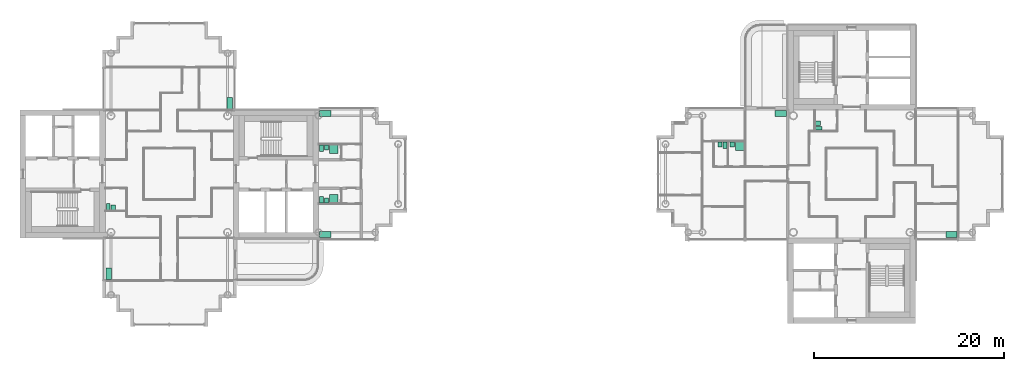
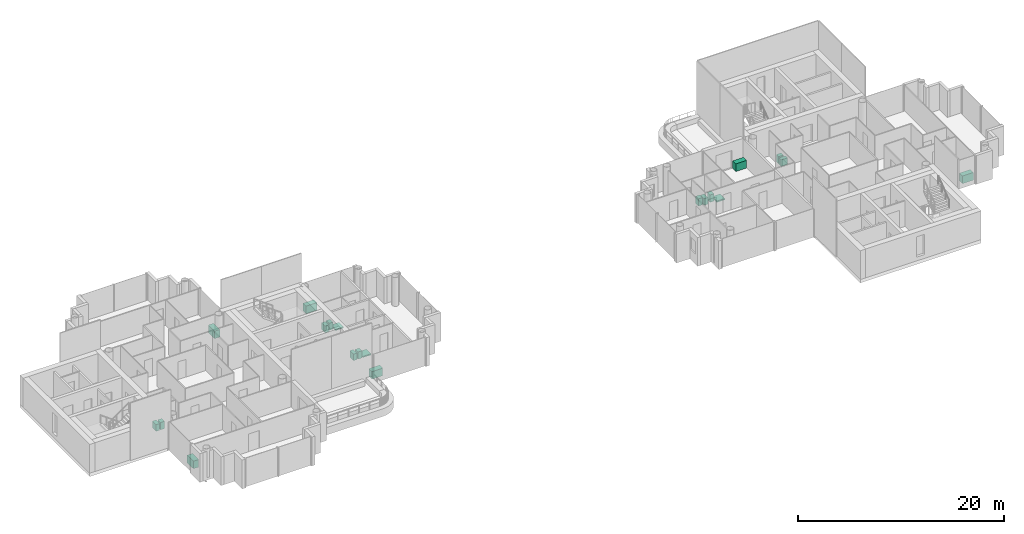
# One storey, part 18 of 18: 20 sanitary terminals.
"""IFC4 building model written with IfcOpenShell, lengths in metres."""

import ifcopenshell
import ifcopenshell.guid

model = None  # the IFC model being written
_history = None  # IfcOwnerHistory: only IFC2X3 demands one
_inside = {}  # id of a spatial element -> (the spatial element, [elements in it])
_under = {}  # id of a project, library or spatial element -> (it, [spatial elements below it])
_declared = {}  # id of a project -> (the project, [libraries it declares])
_typed = {}  # id of a type object -> (the type object, [elements of that type])
_made_of = {}  # id of a material, layer set ... -> (it, [elements and type objects made of it])


def new_model(schema):
    """Start an empty IFC model of exactly this schema.

    Asked for "IFC4X3", IfcOpenShell would pick the latest addendum, in which some entities
    have other attributes; the version numbers below select the first issue.
    IFC2X3 requires an IfcOwnerHistory on every rooted entity: one is made here for all.
    """
    global model, _history
    if schema == "IFC4X3":
        model = ifcopenshell.file(schema_version=(4, 3, 0, 0))
    else:
        model = ifcopenshell.file(schema=schema)
    _inside.clear()
    _under.clear()
    _declared.clear()
    _typed.clear()
    _made_of.clear()
    _history = None
    if model.schema == "IFC2X3":
        org = make("IfcOrganization", Name="unknown")
        user = make(
            "IfcPersonAndOrganization",
            ThePerson=make("IfcPerson", FamilyName="unknown"),
            TheOrganization=org,
        )
        app = make(
            "IfcApplication",
            ApplicationDeveloper=org,
            Version="unknown",
            ApplicationFullName="unknown",
            ApplicationIdentifier="unknown",
        )
        _history = make(
            "IfcOwnerHistory",
            OwningUser=user,
            OwningApplication=app,
            ChangeAction="ADDED",
            CreationDate=0,
        )
    return model


def make(cls, **values):
    """One entity of the class cls with the attributes given. An attribute that is None is left unset."""
    return model.create_entity(
        cls, **{name: value for name, value in values.items() if value is not None}
    )


def rooted(cls, **values):
    """An entity with a GlobalId (a new one), such as an element, a storey or a relation."""
    return make(cls, GlobalId=ifcopenshell.guid.new(), OwnerHistory=_history, **values)


def si_unit(unit_type, name, prefix=None):
    """IfcSIUnit, for example si_unit("LENGTHUNIT", "METRE", prefix="MILLI")."""
    return make("IfcSIUnit", UnitType=unit_type, Prefix=prefix, Name=name)


def assignment(units):
    """IfcUnitAssignment: the units of a project."""
    return None if units is None else make("IfcUnitAssignment", Units=units)


def point(xyz):
    """IfcCartesianPoint."""
    return None if xyz is None else make("IfcCartesianPoint", Coordinates=xyz)


def direction(xyz):
    """IfcDirection."""
    return None if xyz is None else make("IfcDirection", DirectionRatios=xyz)


def frame(location, z_axis=None, x_axis=None):
    """IfcAxis2Placement3D, a coordinate frame: its origin and axes. An axis left out is left unset."""
    return make(
        "IfcAxis2Placement3D",
        Location=point(location),
        Axis=direction(z_axis),
        RefDirection=direction(x_axis),
    )


def frame_2d(location, x_axis=None):
    """IfcAxis2Placement2D, a coordinate frame in the plane: its origin and x axis."""
    return make(
        "IfcAxis2Placement2D", Location=point(location), RefDirection=direction(x_axis)
    )


def origin():
    """The frame at (0, 0, 0) with its axes left unset."""
    return frame((0.0, 0.0, 0.0))


def origin_2d():
    """The frame at (0, 0) in the plane with its x axis left unset."""
    return frame_2d((0.0, 0.0))


def place(relative_to, where):
    """IfcLocalPlacement: puts the frame where relative to a parent placement (None: the world)."""
    return make(
        "IfcLocalPlacement", PlacementRelTo=relative_to, RelativePlacement=where
    )


def context(
    kind, dimensions, precision=None, world=None, true_north=None, identifier=None
):
    """IfcGeometricRepresentationContext, for example the 3D "Model" context."""
    return make(
        "IfcGeometricRepresentationContext",
        ContextIdentifier=identifier,
        ContextType=kind,
        CoordinateSpaceDimension=dimensions,
        Precision=precision,
        WorldCoordinateSystem=world,
        TrueNorth=true_north,
    )


def subcontext(parent, identifier, kind, view, scale=None):
    """IfcGeometricRepresentationSubContext, for example "Body" below "Model"."""
    return make(
        "IfcGeometricRepresentationSubContext",
        ContextIdentifier=identifier,
        ContextType=kind,
        ParentContext=parent,
        TargetScale=scale,
        TargetView=view,
    )


def project(units=None, contexts=None):
    """IfcProject with its units and contexts."""
    return rooted(
        "IfcProject",
        Name="project",
        RepresentationContexts=contexts,
        UnitsInContext=assignment(units),
    )


def spatial(cls, under=None, at=None, **own):
    """A site, building, storey or space (cls), placed at a placement, below another one or the project."""
    s = rooted(cls, ObjectPlacement=at, **own)
    if under is not None:
        _under.setdefault(under.id(), (under, []))[1].append(s)
    return s


def profile(cls, at=None, kind="AREA", **sizes):
    """A parametric profile (cls). Its sizes go by their IFC names, for example OverallWidth=200.0."""
    return make(cls, ProfileType=kind, Position=at, **sizes)


def rectangle(**sizes):
    """IfcRectangleProfileDef."""
    return profile("IfcRectangleProfileDef", **sizes)


def extrude(swept, where, along, depth):
    """IfcExtrudedAreaSolid: the profile swept, set in the frame where, extruded along a direction by depth."""
    return make(
        "IfcExtrudedAreaSolid",
        SweptArea=swept,
        Position=where,
        ExtrudedDirection=direction(along),
        Depth=depth,
    )


def shape(context_of_items, identifier, shape_type, items):
    """IfcShapeRepresentation: the items that make up one representation, for example the "Body"."""
    return make(
        "IfcShapeRepresentation",
        ContextOfItems=context_of_items,
        RepresentationIdentifier=identifier,
        RepresentationType=shape_type,
        Items=items,
    )


def material(Name=None, Category=None):
    """IfcMaterial."""
    return make("IfcMaterial", Name=Name, Category=Category)


def made_of(thing, what):
    """Note that an element or type object is made of a material, layer set ...; save() writes the relation."""
    if what is not None:
        _made_of.setdefault(what.id(), (what, []))[1].append(thing)
    return thing


def type_object(cls, material=None, **own):
    """A type object (cls), such as IfcWallType, which elements share."""
    return made_of(rooted(cls, **own), material)


def element(
    cls,
    number,
    at=None,
    inside=None,
    cuts=None,
    type_object=None,
    material=None,
    context=None,
    identifier="Body",
    shape_type=None,
    held_by="IfcProductDefinitionShape",
    body=None,
    shapes=None,
    **own,
):
    """One element of the class cls, such as IfcWall. Its Tag is "e" and its number.

    at: its placement. inside: the storey or other place that contains it. cuts: it is an
    opening in that element (IfcRelVoidsElement). A single representation is given by context,
    identifier, shape_type and body (its items); several are given by shapes. held_by: the class
    of the entity that holds the representations. save() writes the other relations.
    """
    e = rooted(cls, Tag="e%d" % number, ObjectPlacement=at, **own)
    if body is not None:
        shapes = [shape(context, identifier, shape_type, body)]
    if shapes is not None:
        e.Representation = make(held_by, Representations=shapes)
    if inside is not None:
        _inside.setdefault(inside.id(), (inside, []))[1].append(e)
    if cuts is not None:
        rooted(
            "IfcRelVoidsElement", RelatingBuildingElement=cuts, RelatedOpeningElement=e
        )
    if type_object is not None:
        _typed.setdefault(type_object.id(), (type_object, []))[1].append(e)
    return made_of(e, material)


def aggregate(whole, parts):
    """IfcRelAggregates: a whole, such as a stair, and the parts it consists of."""
    return rooted("IfcRelAggregates", RelatingObject=whole, RelatedObjects=parts)


def save(model, path):
    """Write the relations noted so far, then the file.

    IfcRelAggregates (storeys below a building ...), IfcRelContainedInSpatialStructure (elements
    in a storey), IfcRelDefinesByType, IfcRelAssociatesMaterial and IfcRelDeclares: one each for
    every whole, place, type object, material and project.
    """
    for whole, parts in _under.values():
        aggregate(whole, parts)
    for where, things in _inside.values():
        rooted(
            "IfcRelContainedInSpatialStructure",
            RelatedElements=things,
            RelatingStructure=where,
        )
    for kind, things in _typed.values():
        rooted("IfcRelDefinesByType", RelatedObjects=things, RelatingType=kind)
    for what, things in _made_of.values():
        rooted("IfcRelAssociatesMaterial", RelatedObjects=things, RelatingMaterial=what)
    for by, libraries in _declared.values():
        rooted("IfcRelDeclares", RelatingContext=by, RelatedDefinitions=libraries)
    model.write(path)


model = new_model("IFC4")

# Units and contexts
model_context = context("Model", 3, precision=1e-05, world=origin(), true_north=direction((0.0, 1.0)))
body_context = subcontext(model_context, "Body", "Model", "MODEL_VIEW")
ifc_project = project(units=[si_unit("LENGTHUNIT", "METRE"), si_unit("AREAUNIT", "SQUARE_METRE"), si_unit("VOLUMEUNIT", "CUBIC_METRE"), si_unit("PLANEANGLEUNIT", "RADIAN"), si_unit("MASSUNIT", "GRAM", prefix="KILO")], contexts=[model_context])

# Site, building, storey
site_placement = place(None, origin())
site = spatial("IfcSite", under=ifc_project, at=site_placement, CompositionType="ELEMENT")
building_placement = place(site_placement, origin())
building = spatial("IfcBuilding", under=site, at=building_placement, Name="Ipe Terrace Towers", CompositionType="ELEMENT")
storey_placement = place(building_placement, frame((0.0, 0.0, 199.39990234375)))
storey = spatial("IfcBuildingStorey", under=building, at=storey_placement, Name="L55", CompositionType="ELEMENT", Elevation=199.39990234375)

# Sanitary terminals
ifc_material_1 = material(Name="Stainless sink unit", Category="metal")
sanitary_terminal_type_1 = type_object("IfcSanitaryTerminalType", Name="Kitchen sink unit", PredefinedType="SINK", material=ifc_material_1)
for number, where, z_axis, x_axis, name in (
    (1, (-29.6201171875, 7.469970703125, 0.000244140625), (0.0, 0.0, 1.0), (0.0, -1.0, 0.0), "Kitchen sink unit"),
    (2, (-42.3798828125, -10.530029296875, 0.000244140625), (0.0, 0.0, 1.0), (0.0, 1.0, 0.0), "Kitchen sink unit"),
    (3, (-19.530029296875, 6.3798828125, 0.000244140625), (0.0, 0.0, 1.0), (1.0, 0.0, 0.0), "Kitchen sink unit"),
    (4, (-19.530029296875, -6.3798828125, 0.000244140625), (0.0, 0.0, 1.0), (-1.0, 0.0, 0.0), "Kitchen sink unit"),
    (5, (28.530029296875, 6.3798828125, 0.000244140625), (0.0, 0.0, 1.0), (1.0, 0.0, 0.0), "Kitchen sink unit"),
    (6, (46.530029296875, -6.3798828125, 0.000244140625), (0.0, 0.0, 1.0), (-1.0, 0.0, 0.0), "Kitchen sink unit"),
):
    element("IfcSanitaryTerminal", number, at=place(storey_placement, frame(where, z_axis=z_axis, x_axis=x_axis)), inside=storey, type_object=sanitary_terminal_type_1, Name=name, PredefinedType="SINK", context=body_context, shape_type="SweptSolid", body=[
        extrude(rectangle(XDim=1.199951171875, YDim=0.60009765625, at=origin_2d()), origin(), (0.0, 0.0, 1.0), 0.89990234375),
    ])
ifc_material_2 = material(Name="Acrylic", Category="plastic")
sanitary_terminal_type_2 = type_object("IfcSanitaryTerminalType", Name="Shower tray", PredefinedType="SHOWER", material=ifc_material_2)
for number, where, z_axis, x_axis, name in (
    (7, (-18.6298828125, 2.6298828125, 0.000244140625), (0.0, 0.0, 1.0), (0.0, -1.0, 0.0), "Shower tray"),
    (8, (-18.6298828125, -2.6298828125, 0.000244140625), (0.0, 0.0, 1.0), (0.0, 1.0, 0.0), "Shower tray"),
    (9, (24.179931640625, 2.929931640625, 0.000244140625), (0.0, 0.0, 1.0), (0.0, -1.0, 0.0), "Shower tray"),
):
    element("IfcSanitaryTerminal", number, at=place(storey_placement, frame(where, z_axis=z_axis, x_axis=x_axis)), inside=storey, type_object=sanitary_terminal_type_2, Name=name, PredefinedType="SHOWER", context=body_context, shape_type="SweptSolid", body=[
        extrude(rectangle(XDim=0.89990234375, YDim=0.89990234375, at=origin_2d()), origin(), (0.0, 0.0, 1.0), 0.14990234375),
    ])
ifc_material_3 = material(Name="Vitreous china", Category="ceramic")
sanitary_terminal_type_3 = type_object("IfcSanitaryTerminalType", Name="Wash basin", PredefinedType="WASHHANDBASIN", material=ifc_material_3)
for number, where, z_axis, x_axis, name in (
    (10, (-41.905029296875, -3.554931640625, 0.0), (0.0, 0.0, 1.0), (0.0, 1.0, 0.0), "Wash basin"),
    (11, (-19.405029296875, 2.804931640625, 0.0), (0.0, 0.0, 1.0), (0.0, -1.0, 0.0), "Wash basin"),
    (12, (-19.405029296875, -2.804931640625, 0.0), (0.0, 0.0, 1.0), (0.0, 1.0, 0.0), "Wash basin"),
    (13, (32.445068359375, 5.344970703125, 0.0), (0.0, 0.0, 1.0), (1.0, 0.0, 0.0), "Wash basin"),
    (14, (23.405029296875, 3.10498046875, 0.0), (0.0, 0.0, 1.0), (0.0, -1.0, 0.0), "Wash basin"),
    (15, (22.10498046875, 3.10498046875, 0.0), (0.0, 0.0, 1.0), (0.0, -1.0, 0.0), "Wash basin"),
):
    element("IfcSanitaryTerminal", number, at=place(storey_placement, frame(where, z_axis=z_axis, x_axis=x_axis)), inside=storey, type_object=sanitary_terminal_type_3, Name=name, PredefinedType="WASHHANDBASIN", context=body_context, shape_type="SweptSolid", body=[
        extrude(rectangle(XDim=0.550048828125, YDim=0.449951171875, at=origin_2d()), origin(), (0.0, 0.0, 1.0), 0.85009765625),
    ])
ifc_material_4 = material(Name="Vitreous china", Category="ceramic")
sanitary_terminal_type_4 = type_object("IfcSanitaryTerminalType", Name="Water closet", PredefinedType="TOILETPAN", material=ifc_material_4)
for number, where, z_axis, x_axis, name in (
    (16, (-42.429931640625, -3.47998046875, 0.0), (0.0, 0.0, 1.0), (0.0, 1.0, 0.0), "Water closet"),
    (17, (-19.929931640625, 2.72998046875, 0.0), (0.0, 0.0, 1.0), (0.0, -1.0, 0.0), "Water closet"),
    (18, (-19.929931640625, -2.72998046875, 0.0), (0.0, 0.0, 1.0), (0.0, 1.0, 0.0), "Water closet"),
    (19, (32.52001953125, 4.820068359375, 0.0), (0.0, 0.0, 1.0), (1.0, 0.0, 0.0), "Water closet"),
    (20, (22.6298828125, 3.030029296875, 0.0), (0.0, 0.0, 1.0), (0.0, -1.0, 0.0), "Water closet"),
):
    element("IfcSanitaryTerminal", number, at=place(storey_placement, frame(where, z_axis=z_axis, x_axis=x_axis)), inside=storey, type_object=sanitary_terminal_type_4, Name=name, PredefinedType="TOILETPAN", context=body_context, shape_type="SweptSolid", body=[
        extrude(rectangle(XDim=0.699951171875, YDim=0.39990234375, at=origin_2d()), origin(), (0.0, 0.0, 1.0), 0.780029296875),
    ])

save(model, "model.ifc")
